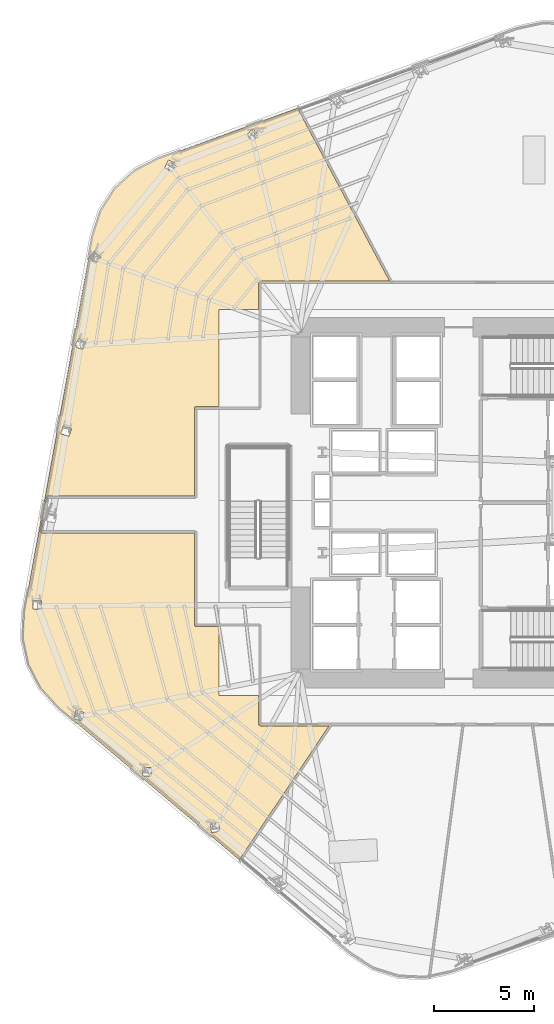
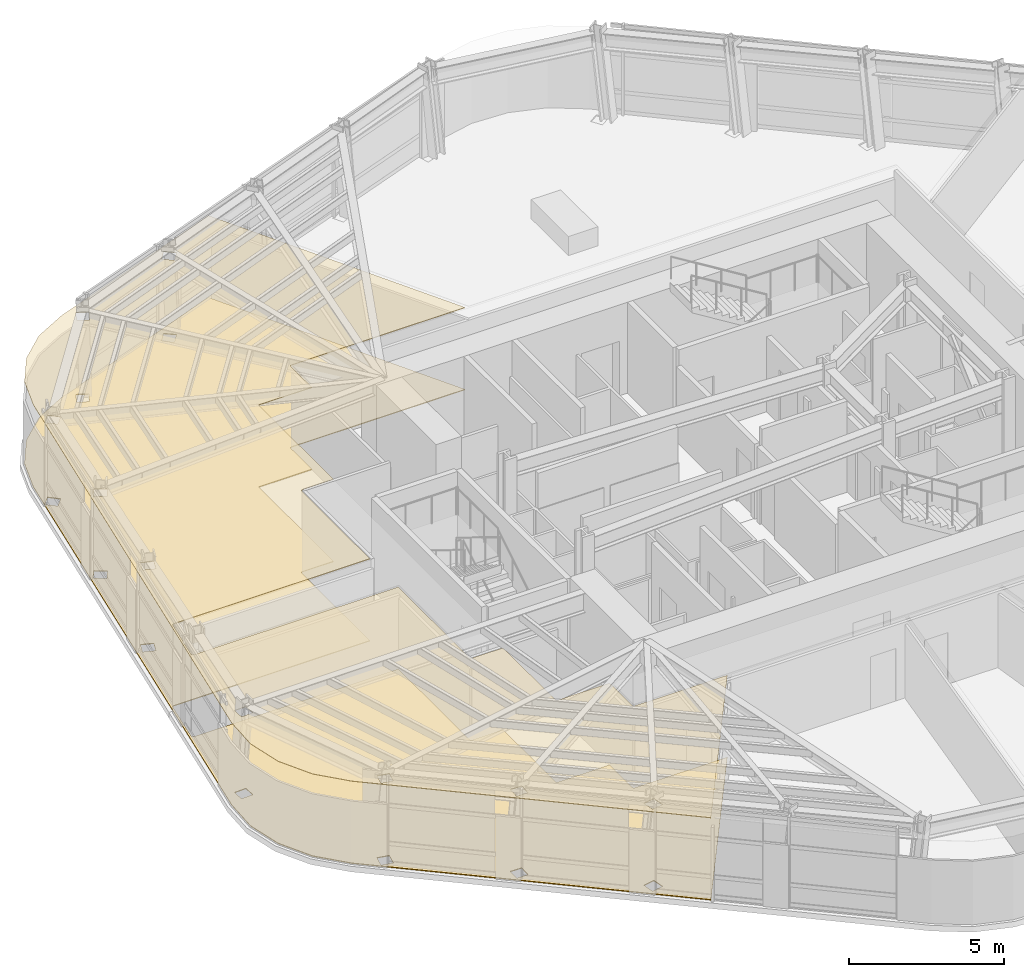
# One storey, part 13 of 18: 2 coverings.
"""IFC4 building model written with IfcOpenShell, lengths in metres."""

from ifc_helpers import new_model, si_unit, direction, frame, origin, place, context, subcontext, project, spatial, polyline, outline, extrude, material, layer, layer_set, type_object, element, save


model = new_model("IFC4")

# Units and contexts
model_context = context("Model", 3, precision=1e-05, world=origin(), true_north=direction((0.0, 1.0)))
body_context = subcontext(model_context, "Body", "Model", "MODEL_VIEW")
ifc_project = project(units=[si_unit("LENGTHUNIT", "METRE"), si_unit("AREAUNIT", "SQUARE_METRE"), si_unit("VOLUMEUNIT", "CUBIC_METRE"), si_unit("PLANEANGLEUNIT", "RADIAN"), si_unit("MASSUNIT", "GRAM", prefix="KILO")], contexts=[model_context])

# Site, building, storey
site_placement = place(None, origin())
site = spatial("IfcSite", under=ifc_project, at=site_placement, CompositionType="ELEMENT")
building_placement = place(site_placement, origin())
building = spatial("IfcBuilding", under=site, at=building_placement, Name="Valkerne Bourse Tower", CompositionType="ELEMENT")
storey_placement = place(building_placement, frame((0.0, 0.0, 108.60009765625)))
storey = spatial("IfcBuildingStorey", under=building, at=storey_placement, Name="L27", CompositionType="ELEMENT", Elevation=108.60009765625)

# Coverings
ifc_material_1 = material(Name="Mineral Fiber Acoustic Ceiling Tile", Category="acoustic")
ifc_layer_1 = layer(ifc_material_1, 0.02490234375)
ifc_layer_set_1 = layer_set([ifc_layer_1], Name="Mineral Fiber Acoustic Ceiling Tile")
covering_type_1 = type_object("IfcCoveringType", Name="COV-CEIL-ACT", PredefinedType="CEILING", material=ifc_layer_set_1)
covering_1_placement = place(storey_placement, frame((0.0, 0.0, 3.22998046875)))
element("IfcCovering", 1, at=covering_1_placement, inside=storey, type_object=covering_type_1, Name="L27 Suspended Ceiling 10", PredefinedType="CEILING", context=body_context, shape_type="SweptSolid", body=[
    extrude(outline(polyline([(24.127685546875, 18.83740234375), (23.846435546875, 20.126708984375), (23.9091796875, 21.4541015625), (27.3134765625, 40.146728515625), (27.717529296875, 41.4130859375), (28.430419921875, 42.5234375), (29.406494140625, 43.41162109375), (30.587646484375, 44.021240234375), (37.519775390625, 46.53369140625), (42.10595703125, 37.9189453125), (35.6494140625, 37.9189453125), (35.609375, 37.906005859375), (35.587890625, 37.880126953125), (35.5810546875, 37.8505859375), (35.5810546875, 36.5), (33.60009765625, 36.5), (33.60009765625, 31.6689453125), (32.449462890625, 31.6689453125), (32.419921875, 31.662109375), (32.39404296875, 31.640625), (32.381103515625, 31.6005859375), (32.381103515625, 27.218994140625), (25.068115234375, 27.217041015625), (25.033447265625, 27.1962890625), (25.016845703125, 27.162841796875), (24.7060546875, 25.44580078125), (24.728515625, 25.398681640625), (24.7744140625, 25.381103515625), (32.381103515625, 25.381103515625), (32.381103515625, 20.79931640625), (32.39404296875, 20.75927734375), (32.419921875, 20.73779296875), (32.449462890625, 20.73095703125), (33.60009765625, 20.73095703125), (33.60009765625, 17.300048828125), (35.5810546875, 17.300048828125), (35.5810546875, 15.849365234375), (35.593994140625, 15.809326171875), (35.619873046875, 15.787841796875), (35.6494140625, 15.781005859375), (39.0908203125, 15.781005859375), (34.62841796875, 9.108154296875), (25.627197265625, 16.681884765625), (24.73291015625, 17.664794921875), (24.127685546875, 18.83740234375)]), holes=[polyline([(33.5751953125, 10.960205078125), (33.572998046875, 10.96240234375), (33.1630859375, 10.888916015625), (33.237548828125, 10.464111328125), (33.239990234375, 10.462158203125), (33.649658203125, 10.535400390625), (33.5751953125, 10.960205078125)]), polyline([(30.23681640625, 13.70458984375), (30.235107421875, 13.70703125), (29.81884765625, 13.718505859375), (29.805419921875, 13.28759765625), (29.807373046875, 13.284912109375), (30.223388671875, 13.2734375), (30.23681640625, 13.70458984375)]), polyline([(26.886962890625, 16.444091796875), (26.885498046875, 16.447021484375), (26.47900390625, 16.5361328125), (26.384765625, 16.115478515625), (26.38623046875, 16.112548828125), (26.79248046875, 16.0234375), (26.886962890625, 16.444091796875)]), polyline([(24.76806640625, 22.023681640625), (24.767333984375, 22.02685546875), (24.335693359375, 22.0068359375), (24.3544921875, 21.592041015625), (24.35498046875, 21.5888671875), (24.786865234375, 21.60888671875), (24.76806640625, 22.023681640625)]), polyline([(26.271484375, 30.5751953125), (26.272216796875, 30.578369140625), (25.86572265625, 30.7255859375), (25.7236328125, 30.335205078125), (25.72314453125, 30.332275390625), (26.12939453125, 30.18505859375), (26.271484375, 30.5751953125)]), polyline([(27.009521484375, 34.843505859375), (26.6416015625, 35.0703125), (26.423095703125, 34.717041015625), (26.422119140625, 34.714111328125), (26.7900390625, 34.4873046875), (27.00830078125, 34.8408203125), (27.009521484375, 34.843505859375)]), polyline([(27.734619140625, 39.111083984375), (27.415771484375, 39.40283203125), (27.135009765625, 39.096923828125), (27.13330078125, 39.09423828125), (27.451904296875, 38.802490234375), (27.73291015625, 39.108154296875), (27.734619140625, 39.111083984375)]), polyline([(31.46875, 43.759521484375), (31.09912109375, 43.95166015625), (31.0966796875, 43.949462890625), (30.8994140625, 43.56689453125), (31.26904296875, 43.374755859375), (31.271484375, 43.376953125), (31.46875, 43.759521484375)]), polyline([(35.319580078125, 44.905517578125), (35.58544921875, 45.244140625), (35.25830078125, 45.50244140625), (35.255615234375, 45.500732421875), (34.98974609375, 45.162109375), (35.31689453125, 44.90380859375), (35.319580078125, 44.905517578125)])]), origin(), (0.0, 0.0, 1.0), 0.02490234375),
])
ifc_material_2 = material(Name="Polished Granite Stone", Category="masonry")
ifc_layer_2 = layer(ifc_material_2, 0.030029296875)
ifc_layer_set_2 = layer_set([ifc_layer_2], Name="Polished Granite Stone")
covering_type_2 = type_object("IfcCoveringType", Name="COV-FLR-TERRAZZO", PredefinedType="FLOORING", material=ifc_layer_set_2)
covering_2_placement = place(storey_placement, origin())
element("IfcCovering", 2, at=covering_2_placement, inside=storey, type_object=covering_type_2, Name="L27 Floor Finish 10", PredefinedType="FLOORING", context=body_context, shape_type="SweptSolid", body=[
    extrude(outline(polyline([(24.127685546875, 18.83740234375), (23.846435546875, 20.126708984375), (23.9091796875, 21.4541015625), (27.3134765625, 40.146728515625), (27.717529296875, 41.4130859375), (28.430419921875, 42.5234375), (29.406494140625, 43.41162109375), (30.587646484375, 44.021240234375), (37.519775390625, 46.53369140625), (42.10595703125, 37.9189453125), (35.6494140625, 37.9189453125), (35.609375, 37.906005859375), (35.587890625, 37.880126953125), (35.5810546875, 37.8505859375), (35.5810546875, 36.5), (33.60009765625, 36.5), (33.60009765625, 31.6689453125), (32.449462890625, 31.6689453125), (32.419921875, 31.662109375), (32.39404296875, 31.640625), (32.381103515625, 31.6005859375), (32.381103515625, 27.218994140625), (25.068115234375, 27.217041015625), (25.033447265625, 27.1962890625), (25.016845703125, 27.162841796875), (24.7060546875, 25.44580078125), (24.728515625, 25.398681640625), (24.7744140625, 25.381103515625), (32.381103515625, 25.381103515625), (32.381103515625, 20.79931640625), (32.39404296875, 20.75927734375), (32.419921875, 20.73779296875), (32.449462890625, 20.73095703125), (33.60009765625, 20.73095703125), (33.60009765625, 17.300048828125), (35.5810546875, 17.300048828125), (35.5810546875, 15.849365234375), (35.593994140625, 15.809326171875), (35.619873046875, 15.787841796875), (35.6494140625, 15.781005859375), (39.0908203125, 15.781005859375), (34.62841796875, 9.108154296875), (25.627197265625, 16.681884765625), (24.73291015625, 17.664794921875), (24.127685546875, 18.83740234375)]), holes=[polyline([(33.5751953125, 10.960205078125), (33.572998046875, 10.96240234375), (33.1630859375, 10.888916015625), (33.237548828125, 10.464111328125), (33.239990234375, 10.462158203125), (33.649658203125, 10.535400390625), (33.5751953125, 10.960205078125)]), polyline([(30.23681640625, 13.70458984375), (30.235107421875, 13.70703125), (29.81884765625, 13.718505859375), (29.805419921875, 13.28759765625), (29.807373046875, 13.284912109375), (30.223388671875, 13.2734375), (30.23681640625, 13.70458984375)]), polyline([(26.886962890625, 16.444091796875), (26.885498046875, 16.447021484375), (26.47900390625, 16.5361328125), (26.384765625, 16.115478515625), (26.38623046875, 16.112548828125), (26.79248046875, 16.0234375), (26.886962890625, 16.444091796875)]), polyline([(24.76806640625, 22.023681640625), (24.767333984375, 22.02685546875), (24.335693359375, 22.0068359375), (24.3544921875, 21.592041015625), (24.35498046875, 21.5888671875), (24.786865234375, 21.60888671875), (24.76806640625, 22.023681640625)]), polyline([(26.271484375, 30.5751953125), (26.272216796875, 30.578369140625), (25.86572265625, 30.7255859375), (25.7236328125, 30.335205078125), (25.72314453125, 30.332275390625), (26.12939453125, 30.18505859375), (26.271484375, 30.5751953125)]), polyline([(27.009521484375, 34.843505859375), (26.6416015625, 35.0703125), (26.423095703125, 34.717041015625), (26.422119140625, 34.714111328125), (26.7900390625, 34.4873046875), (27.00830078125, 34.8408203125), (27.009521484375, 34.843505859375)]), polyline([(27.734619140625, 39.111083984375), (27.415771484375, 39.40283203125), (27.135009765625, 39.096923828125), (27.13330078125, 39.09423828125), (27.451904296875, 38.802490234375), (27.73291015625, 39.108154296875), (27.734619140625, 39.111083984375)]), polyline([(31.46875, 43.759521484375), (31.09912109375, 43.95166015625), (31.0966796875, 43.949462890625), (30.8994140625, 43.56689453125), (31.26904296875, 43.374755859375), (31.271484375, 43.376953125), (31.46875, 43.759521484375)]), polyline([(35.319580078125, 44.905517578125), (35.58544921875, 45.244140625), (35.25830078125, 45.50244140625), (35.255615234375, 45.500732421875), (34.98974609375, 45.162109375), (35.31689453125, 44.90380859375), (35.319580078125, 44.905517578125)])]), origin(), (0.0, 0.0, 1.0), 0.02978515625),
])

save(model, "model.ifc")
